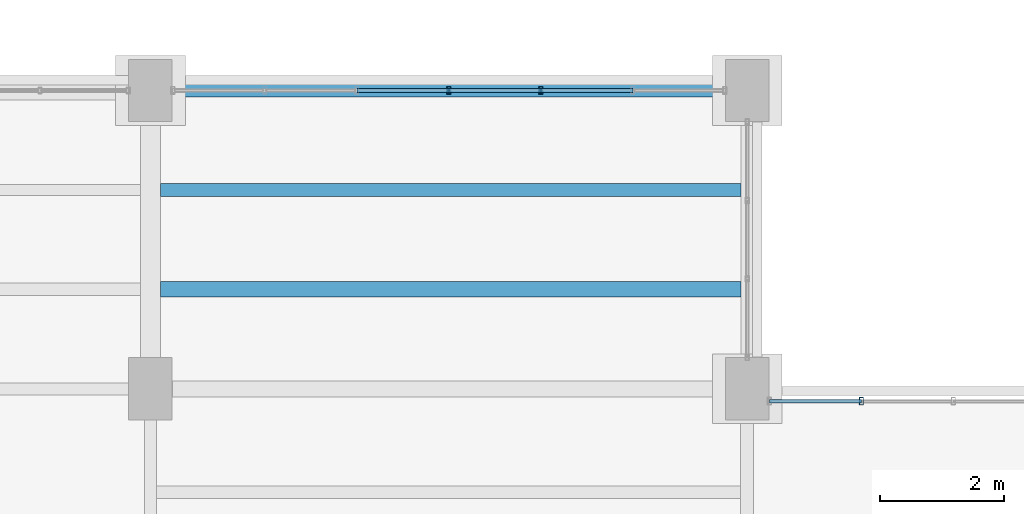
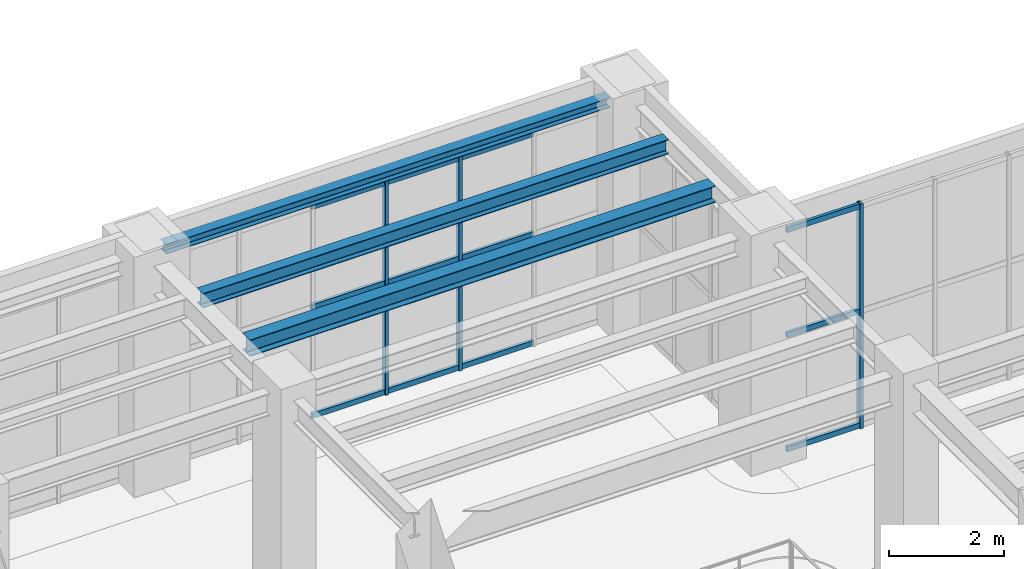
# One storey, part 92 of 174: 15 members, 3 beams, 2 elements without a shape of their own.
"""IFC4 building model written with IfcOpenShell, lengths in metres."""

import ifcopenshell
import ifcopenshell.guid

model = None  # the IFC model being written
_history = None  # IfcOwnerHistory: only IFC2X3 demands one
_inside = {}  # id of a spatial element -> (the spatial element, [elements in it])
_under = {}  # id of a project, library or spatial element -> (it, [spatial elements below it])
_declared = {}  # id of a project -> (the project, [libraries it declares])
_typed = {}  # id of a type object -> (the type object, [elements of that type])
_made_of = {}  # id of a material, layer set ... -> (it, [elements and type objects made of it])


def new_model(schema):
    """Start an empty IFC model of exactly this schema.

    Asked for "IFC4X3", IfcOpenShell would pick the latest addendum, in which some entities
    have other attributes; the version numbers below select the first issue.
    IFC2X3 requires an IfcOwnerHistory on every rooted entity: one is made here for all.
    """
    global model, _history
    if schema == "IFC4X3":
        model = ifcopenshell.file(schema_version=(4, 3, 0, 0))
    else:
        model = ifcopenshell.file(schema=schema)
    _inside.clear()
    _under.clear()
    _declared.clear()
    _typed.clear()
    _made_of.clear()
    _history = None
    if model.schema == "IFC2X3":
        org = make("IfcOrganization", Name="unknown")
        user = make(
            "IfcPersonAndOrganization",
            ThePerson=make("IfcPerson", FamilyName="unknown"),
            TheOrganization=org,
        )
        app = make(
            "IfcApplication",
            ApplicationDeveloper=org,
            Version="unknown",
            ApplicationFullName="unknown",
            ApplicationIdentifier="unknown",
        )
        _history = make(
            "IfcOwnerHistory",
            OwningUser=user,
            OwningApplication=app,
            ChangeAction="ADDED",
            CreationDate=0,
        )
    return model


def make(cls, **values):
    """One entity of the class cls with the attributes given. An attribute that is None is left unset."""
    return model.create_entity(
        cls, **{name: value for name, value in values.items() if value is not None}
    )


def rooted(cls, **values):
    """An entity with a GlobalId (a new one), such as an element, a storey or a relation."""
    return make(cls, GlobalId=ifcopenshell.guid.new(), OwnerHistory=_history, **values)


def si_unit(unit_type, name, prefix=None):
    """IfcSIUnit, for example si_unit("LENGTHUNIT", "METRE", prefix="MILLI")."""
    return make("IfcSIUnit", UnitType=unit_type, Prefix=prefix, Name=name)


def assignment(units):
    """IfcUnitAssignment: the units of a project."""
    return None if units is None else make("IfcUnitAssignment", Units=units)


def point(xyz):
    """IfcCartesianPoint."""
    return None if xyz is None else make("IfcCartesianPoint", Coordinates=xyz)


def direction(xyz):
    """IfcDirection."""
    return None if xyz is None else make("IfcDirection", DirectionRatios=xyz)


def frame(location, z_axis=None, x_axis=None):
    """IfcAxis2Placement3D, a coordinate frame: its origin and axes. An axis left out is left unset."""
    return make(
        "IfcAxis2Placement3D",
        Location=point(location),
        Axis=direction(z_axis),
        RefDirection=direction(x_axis),
    )


def frame_2d(location, x_axis=None):
    """IfcAxis2Placement2D, a coordinate frame in the plane: its origin and x axis."""
    return make(
        "IfcAxis2Placement2D", Location=point(location), RefDirection=direction(x_axis)
    )


def origin():
    """The frame at (0, 0, 0) with its axes left unset."""
    return frame((0.0, 0.0, 0.0))


def origin_2d():
    """The frame at (0, 0) in the plane with its x axis left unset."""
    return frame_2d((0.0, 0.0))


def place(relative_to, where):
    """IfcLocalPlacement: puts the frame where relative to a parent placement (None: the world)."""
    return make(
        "IfcLocalPlacement", PlacementRelTo=relative_to, RelativePlacement=where
    )


def context(
    kind, dimensions, precision=None, world=None, true_north=None, identifier=None
):
    """IfcGeometricRepresentationContext, for example the 3D "Model" context."""
    return make(
        "IfcGeometricRepresentationContext",
        ContextIdentifier=identifier,
        ContextType=kind,
        CoordinateSpaceDimension=dimensions,
        Precision=precision,
        WorldCoordinateSystem=world,
        TrueNorth=true_north,
    )


def subcontext(parent, identifier, kind, view, scale=None):
    """IfcGeometricRepresentationSubContext, for example "Body" below "Model"."""
    return make(
        "IfcGeometricRepresentationSubContext",
        ContextIdentifier=identifier,
        ContextType=kind,
        ParentContext=parent,
        TargetScale=scale,
        TargetView=view,
    )


def project(units=None, contexts=None):
    """IfcProject with its units and contexts."""
    return rooted(
        "IfcProject",
        Name="project",
        RepresentationContexts=contexts,
        UnitsInContext=assignment(units),
    )


def spatial(cls, under=None, at=None, **own):
    """A site, building, storey or space (cls), placed at a placement, below another one or the project."""
    s = rooted(cls, ObjectPlacement=at, **own)
    if under is not None:
        _under.setdefault(under.id(), (under, []))[1].append(s)
    return s


def profile(cls, at=None, kind="AREA", **sizes):
    """A parametric profile (cls). Its sizes go by their IFC names, for example OverallWidth=200.0."""
    return make(cls, ProfileType=kind, Position=at, **sizes)


def hollow_rectangle(**sizes):
    """IfcRectangleHollowProfileDef."""
    return profile("IfcRectangleHollowProfileDef", **sizes)


def i_section(**sizes):
    """IfcIShapeProfileDef."""
    return profile("IfcIShapeProfileDef", **sizes)


def extrude(swept, where, along, depth):
    """IfcExtrudedAreaSolid: the profile swept, set in the frame where, extruded along a direction by depth."""
    return make(
        "IfcExtrudedAreaSolid",
        SweptArea=swept,
        Position=where,
        ExtrudedDirection=direction(along),
        Depth=depth,
    )


def shape(context_of_items, identifier, shape_type, items):
    """IfcShapeRepresentation: the items that make up one representation, for example the "Body"."""
    return make(
        "IfcShapeRepresentation",
        ContextOfItems=context_of_items,
        RepresentationIdentifier=identifier,
        RepresentationType=shape_type,
        Items=items,
    )


def material(Name=None, Category=None):
    """IfcMaterial."""
    return make("IfcMaterial", Name=Name, Category=Category)


def material_profile(
    of_material, cross_section, Name=None, Category=None, Priority=None
):
    """IfcMaterialProfile: a cross section and its material."""
    return make(
        "IfcMaterialProfile",
        Name=Name,
        Material=of_material,
        Profile=cross_section,
        Priority=Priority,
        Category=Category,
    )


def profile_set(profiles, Name=None, composite=None):
    """IfcMaterialProfileSet."""
    return make(
        "IfcMaterialProfileSet",
        Name=Name,
        MaterialProfiles=profiles,
        CompositeProfile=composite,
    )


def made_of(thing, what):
    """Note that an element or type object is made of a material, layer set ...; save() writes the relation."""
    if what is not None:
        _made_of.setdefault(what.id(), (what, []))[1].append(thing)
    return thing


def type_object(cls, material=None, **own):
    """A type object (cls), such as IfcWallType, which elements share."""
    return made_of(rooted(cls, **own), material)


def element(
    cls,
    number,
    at=None,
    inside=None,
    cuts=None,
    type_object=None,
    material=None,
    context=None,
    identifier="Body",
    shape_type=None,
    held_by="IfcProductDefinitionShape",
    body=None,
    shapes=None,
    **own,
):
    """One element of the class cls, such as IfcWall. Its Tag is "e" and its number.

    at: its placement. inside: the storey or other place that contains it. cuts: it is an
    opening in that element (IfcRelVoidsElement). A single representation is given by context,
    identifier, shape_type and body (its items); several are given by shapes. held_by: the class
    of the entity that holds the representations. save() writes the other relations.
    """
    e = rooted(cls, Tag="e%d" % number, ObjectPlacement=at, **own)
    if body is not None:
        shapes = [shape(context, identifier, shape_type, body)]
    if shapes is not None:
        e.Representation = make(held_by, Representations=shapes)
    if inside is not None:
        _inside.setdefault(inside.id(), (inside, []))[1].append(e)
    if cuts is not None:
        rooted(
            "IfcRelVoidsElement", RelatingBuildingElement=cuts, RelatedOpeningElement=e
        )
    if type_object is not None:
        _typed.setdefault(type_object.id(), (type_object, []))[1].append(e)
    return made_of(e, material)


def aggregate(whole, parts):
    """IfcRelAggregates: a whole, such as a stair, and the parts it consists of."""
    return rooted("IfcRelAggregates", RelatingObject=whole, RelatedObjects=parts)


def save(model, path):
    """Write the relations noted so far, then the file.

    IfcRelAggregates (storeys below a building ...), IfcRelContainedInSpatialStructure (elements
    in a storey), IfcRelDefinesByType, IfcRelAssociatesMaterial and IfcRelDeclares: one each for
    every whole, place, type object, material and project.
    """
    for whole, parts in _under.values():
        aggregate(whole, parts)
    for where, things in _inside.values():
        rooted(
            "IfcRelContainedInSpatialStructure",
            RelatedElements=things,
            RelatingStructure=where,
        )
    for kind, things in _typed.values():
        rooted("IfcRelDefinesByType", RelatedObjects=things, RelatingType=kind)
    for what, things in _made_of.values():
        rooted("IfcRelAssociatesMaterial", RelatedObjects=things, RelatingMaterial=what)
    for by, libraries in _declared.values():
        rooted("IfcRelDeclares", RelatingContext=by, RelatedDefinitions=libraries)
    model.write(path)


model = new_model("IFC4")

# Units and contexts
model_context = context("Model", 3, precision=1e-05, world=origin(), true_north=direction((0.0, 1.0)))
body_context = subcontext(model_context, "Body", "Model", "MODEL_VIEW")
ifc_project = project(units=[si_unit("LENGTHUNIT", "METRE"), si_unit("AREAUNIT", "SQUARE_METRE"), si_unit("VOLUMEUNIT", "CUBIC_METRE"), si_unit("PLANEANGLEUNIT", "RADIAN"), si_unit("MASSUNIT", "GRAM", prefix="KILO")], contexts=[model_context])

# Site, building, storey
site_placement = place(None, origin())
site = spatial("IfcSite", under=ifc_project, at=site_placement, CompositionType="ELEMENT")
building_placement = place(site_placement, origin())
building = spatial("IfcBuilding", under=site, at=building_placement, Name="Mavantir Sound Aquarium", CompositionType="ELEMENT")
storey_placement = place(building_placement, frame((0.0, 0.0, 5.39990234375)))
storey = spatial("IfcBuildingStorey", under=building, at=storey_placement, Name="L01", CompositionType="ELEMENT", Elevation=5.39990234375)

# Beams
ifc_material_1 = material(Name="Structural Steel ASTM A992 Gr50", Category="steel")
ifc_material_profile_1 = material_profile(ifc_material_1, i_section(OverallWidth=0.202880859375, OverallDepth=0.202880859375, WebThickness=0.007080078125, FlangeThickness=0.010986328125, FilletRadius=0.010009765625, at=origin_2d()), Name="W200X46")
ifc_profile_set_1 = profile_set([ifc_material_profile_1], Name="Structural Steel ASTM A992 Gr50")
beam_type_1 = type_object("IfcBeamType", Name="BM-W200X46-E", PredefinedType="LINTEL", material=ifc_profile_set_1)
beam_1_placement = place(storey_placement, frame((108.35009765625, 95.60009765625, 4.674560546875), z_axis=(1.0, 0.0, 0.0), x_axis=(0.0, 1.0, 0.0)))
element("IfcBeam", 1, at=beam_1_placement, inside=storey, type_object=beam_type_1, Name="L01 primary beam SL-20 1282", PredefinedType="LINTEL", context=body_context, shape_type="SweptSolid", body=[
    extrude(i_section(OverallWidth=0.202880859375, OverallDepth=0.202880859375, WebThickness=0.007080078125, FlangeThickness=0.010986328125, FilletRadius=0.010009765625, at=origin_2d()), origin(), (0.0, 0.0, 1.0), 8.89990234375),
])
ifc_material_profile_2 = material_profile(ifc_material_1, i_section(OverallWidth=0.205078125, OverallDepth=0.31005859375, WebThickness=0.009521484375, FlangeThickness=0.016357421875, FilletRadius=0.012939453125, at=origin_2d()), Name="W310X74")
ifc_profile_set_2 = profile_set([ifc_material_profile_2], Name="Structural Steel ASTM A992 Gr50")
beam_type_2 = type_object("IfcBeamType", Name="BM-W310X74-I", PredefinedType="JOIST", material=ifc_profile_set_2)
beam_2_placement = place(storey_placement, frame((108.162109375, 94.0, 4.62109375), z_axis=(1.0, 0.0, 0.0), x_axis=(0.0, 1.0, 0.0)))
element("IfcBeam", 2, at=beam_2_placement, inside=storey, type_object=beam_type_2, Name="L01 secondary floor joist SJ-31 795", PredefinedType="JOIST", context=body_context, shape_type="SweptSolid", body=[
    extrude(i_section(OverallWidth=0.205078125, OverallDepth=0.31005859375, WebThickness=0.009521484375, FlangeThickness=0.016357421875, FilletRadius=0.012939453125, at=origin_2d()), origin(), (0.0, 0.0, 1.0), 9.3408203125),
])
ifc_material_profile_3 = material_profile(ifc_material_1, i_section(OverallWidth=0.25390625, OverallDepth=0.35302734375, WebThickness=0.009521484375, FlangeThickness=0.016357421875, FilletRadius=0.014892578125, at=origin_2d()), Name="W360X91")
ifc_profile_set_3 = profile_set([ifc_material_profile_3], Name="Structural Steel ASTM A992 Gr50")
beam_type_3 = type_object("IfcBeamType", Name="BM-W360X91-I", PredefinedType="JOIST", material=ifc_profile_set_3)
beam_3_placement = place(storey_placement, frame((108.162109375, 92.39990234375, 4.599609375), z_axis=(1.0, 0.0, 0.0), x_axis=(0.0, 1.0, 0.0)))
element("IfcBeam", 3, at=beam_3_placement, inside=storey, type_object=beam_type_3, Name="L01 secondary floor joist SJ-36 794", PredefinedType="JOIST", context=body_context, shape_type="SweptSolid", body=[
    extrude(i_section(OverallWidth=0.25390625, OverallDepth=0.35302734375, WebThickness=0.009521484375, FlangeThickness=0.016357421875, FilletRadius=0.014892578125, at=origin_2d()), origin(), (0.0, 0.0, 1.0), 9.3408203125),
])

# Curtain wall, member
ifc_material_2 = material(Name="Anodised Marine Aluminium and Low-E Glass", Category="aluminium")
curtain_wall_type_1 = type_object("IfcCurtainWallType", Name="CW-T14", PredefinedType="USERDEFINED", material=ifc_material_2)
curtain_wall_1_placement = place(storey_placement, origin())
curtain_wall_1 = element("IfcCurtainWall", 4, at=curtain_wall_1_placement, inside=storey, type_object=curtain_wall_type_1, Name="L01 unitised curtain wall CW-14 86", ObjectType="UNITISED GLAZING", PredefinedType="USERDEFINED")
ifc_material_3 = material(Name="Anodised Marine Aluminium 6063-T6", Category="aluminium")
ifc_material_profile_4 = material_profile(ifc_material_3, hollow_rectangle(XDim=0.06494140625, YDim=0.1201171875, WallThickness=0.00390625, at=origin_2d()), Name="ALU-MULLION-120X65")
ifc_profile_set_4 = profile_set([ifc_material_profile_4], Name="Anodised Marine Aluminium 6063-T6")
member_type_1 = type_object("IfcMemberType", Name="CW-MUL-120", PredefinedType="MULLION", material=ifc_profile_set_4)
member_1_placement = place(storey_placement, frame((119.438720703125, 90.60009765625, 0.0), z_axis=(0.0, 0.0, 1.0), x_axis=(1.0, 0.0, 0.0)))
member_1 = element("IfcMember", 5, at=member_1_placement, type_object=member_type_1, Name="CW-L01-086 vertical mullion 6", PredefinedType="MULLION", context=body_context, shape_type="SweptSolid", body=[
    extrude(hollow_rectangle(XDim=0.06494140625, YDim=0.1201171875, WallThickness=0.00390625, at=origin_2d()), origin(), (0.0, 0.0, 1.0), 4.760009765625),
])

# Curtain wall, members
curtain_wall_type_2 = type_object("IfcCurtainWallType", Name="CW-T16", PredefinedType="USERDEFINED", material=ifc_material_2)
curtain_wall_2_placement = place(storey_placement, origin())
curtain_wall_2 = element("IfcCurtainWall", 6, at=curtain_wall_2_placement, inside=storey, type_object=curtain_wall_type_2, Name="L01 unitised curtain wall CW-16 88", ObjectType="UNITISED GLAZING", PredefinedType="USERDEFINED")
member_2_placement = place(storey_placement, frame((114.28076171875, 95.60009765625, 0.0), z_axis=(0.0, 0.0, 1.0), x_axis=(1.0, 0.0, 0.0)))
member_2 = element("IfcMember", 7, at=member_2_placement, type_object=member_type_1, Name="CW-L01-088 vertical mullion 3", PredefinedType="MULLION", context=body_context, shape_type="SweptSolid", body=[
    extrude(hollow_rectangle(XDim=0.06494140625, YDim=0.1201171875, WallThickness=0.00390625, at=origin_2d()), origin(), (0.0, 0.0, 1.0), 4.543212890625),
])
member_3_placement = place(storey_placement, frame((112.800048828125, 95.60009765625, 0.0), z_axis=(0.0, 0.0, 1.0), x_axis=(1.0, 0.0, 0.0)))
member_3 = element("IfcMember", 8, at=member_3_placement, type_object=member_type_1, Name="CW-L01-088 vertical mullion 4", PredefinedType="MULLION", context=body_context, shape_type="SweptSolid", body=[
    extrude(hollow_rectangle(XDim=0.06494140625, YDim=0.1201171875, WallThickness=0.00390625, at=origin_2d()), origin(), (0.0, 0.0, 1.0), 4.543212890625),
])

# Member
ifc_material_profile_5 = material_profile(ifc_material_3, hollow_rectangle(XDim=0.06005859375, YDim=0.110107421875, WallThickness=0.00390625, at=origin_2d()), Name="ALU-TRANSOM-110X60")
ifc_profile_set_5 = profile_set([ifc_material_profile_5], Name="Anodised Marine Aluminium 6063-T6")
member_type_2 = type_object("IfcMemberType", Name="CW-TRN-110", PredefinedType="USERDEFINED", material=ifc_profile_set_5)
member_4_placement = place(storey_placement, frame((119.438720703125, 90.60009765625, 0.05517578125), z_axis=(-1.0, 0.0, 0.0), x_axis=(0.0, -1.0, 0.0)))
member_4 = element("IfcMember", 9, at=member_4_placement, type_object=member_type_2, Name="CW-L01-086 transom 6.1", ObjectType="TRANSOM", PredefinedType="USERDEFINED", context=body_context, shape_type="SweptSolid", body=[
    extrude(hollow_rectangle(XDim=0.06005859375, YDim=0.110107421875, WallThickness=0.00390625, at=origin_2d()), origin(), (0.0, 0.0, 1.0), 1.480712890625),
])

member_5_placement = place(storey_placement, frame((119.438720703125, 90.60009765625, 2.475341796875), z_axis=(-1.0, 0.0, 0.0), x_axis=(0.0, -1.0, 0.0)))
member_5 = element("IfcMember", 10, at=member_5_placement, type_object=member_type_2, Name="CW-L01-086 transom 6.2", ObjectType="TRANSOM", PredefinedType="USERDEFINED", context=body_context, shape_type="SweptSolid", body=[
    extrude(hollow_rectangle(XDim=0.06005859375, YDim=0.110107421875, WallThickness=0.00390625, at=origin_2d()), origin(), (0.0, 0.0, 1.0), 1.480712890625),
])

member_6_placement = place(storey_placement, frame((119.438720703125, 90.60009765625, 4.705078125), z_axis=(-1.0, 0.0, 0.0), x_axis=(0.0, -1.0, 0.0)))
member_6 = element("IfcMember", 11, at=member_6_placement, type_object=member_type_2, Name="CW-L01-086 transom 6.3", ObjectType="TRANSOM", PredefinedType="USERDEFINED", context=body_context, shape_type="SweptSolid", body=[
    extrude(hollow_rectangle(XDim=0.06005859375, YDim=0.110107421875, WallThickness=0.00390625, at=origin_2d()), origin(), (0.0, 0.0, 1.0), 1.480712890625),
])

aggregate(curtain_wall_1, [member_1, member_4, member_5, member_6])

member_7_placement = place(storey_placement, frame((115.76123046875, 95.60009765625, 0.05517578125), z_axis=(-1.0, 0.0, 0.0), x_axis=(0.0, -1.0, 0.0)))
member_7 = element("IfcMember", 12, at=member_7_placement, type_object=member_type_2, Name="CW-L01-088 transom 2.1", ObjectType="TRANSOM", PredefinedType="USERDEFINED", context=body_context, shape_type="SweptSolid", body=[
    extrude(hollow_rectangle(XDim=0.06005859375, YDim=0.110107421875, WallThickness=0.00390625, at=origin_2d()), origin(), (0.0, 0.0, 1.0), 1.48046875),
])

member_8_placement = place(storey_placement, frame((115.76123046875, 95.60009765625, 2.362548828125), z_axis=(-1.0, 0.0, 0.0), x_axis=(0.0, -1.0, 0.0)))
member_8 = element("IfcMember", 13, at=member_8_placement, type_object=member_type_2, Name="CW-L01-088 transom 2.2", ObjectType="TRANSOM", PredefinedType="USERDEFINED", context=body_context, shape_type="SweptSolid", body=[
    extrude(hollow_rectangle(XDim=0.06005859375, YDim=0.110107421875, WallThickness=0.00390625, at=origin_2d()), origin(), (0.0, 0.0, 1.0), 1.48046875),
])

member_9_placement = place(storey_placement, frame((115.76123046875, 95.60009765625, 4.488037109375), z_axis=(-1.0, 0.0, 0.0), x_axis=(0.0, -1.0, 0.0)))
member_9 = element("IfcMember", 14, at=member_9_placement, type_object=member_type_2, Name="CW-L01-088 transom 2.3", ObjectType="TRANSOM", PredefinedType="USERDEFINED", context=body_context, shape_type="SweptSolid", body=[
    extrude(hollow_rectangle(XDim=0.06005859375, YDim=0.110107421875, WallThickness=0.00390625, at=origin_2d()), origin(), (0.0, 0.0, 1.0), 1.48046875),
])

member_10_placement = place(storey_placement, frame((114.28076171875, 95.60009765625, 0.05517578125), z_axis=(-1.0, 0.0, 0.0), x_axis=(0.0, -1.0, 0.0)))
member_10 = element("IfcMember", 15, at=member_10_placement, type_object=member_type_2, Name="CW-L01-088 transom 3.1", ObjectType="TRANSOM", PredefinedType="USERDEFINED", context=body_context, shape_type="SweptSolid", body=[
    extrude(hollow_rectangle(XDim=0.06005859375, YDim=0.110107421875, WallThickness=0.00390625, at=origin_2d()), origin(), (0.0, 0.0, 1.0), 1.480712890625),
])

member_11_placement = place(storey_placement, frame((114.28076171875, 95.60009765625, 2.362548828125), z_axis=(-1.0, 0.0, 0.0), x_axis=(0.0, -1.0, 0.0)))
member_11 = element("IfcMember", 16, at=member_11_placement, type_object=member_type_2, Name="CW-L01-088 transom 3.2", ObjectType="TRANSOM", PredefinedType="USERDEFINED", context=body_context, shape_type="SweptSolid", body=[
    extrude(hollow_rectangle(XDim=0.06005859375, YDim=0.110107421875, WallThickness=0.00390625, at=origin_2d()), origin(), (0.0, 0.0, 1.0), 1.480712890625),
])

member_12_placement = place(storey_placement, frame((114.28076171875, 95.60009765625, 4.488037109375), z_axis=(-1.0, 0.0, 0.0), x_axis=(0.0, -1.0, 0.0)))
member_12 = element("IfcMember", 17, at=member_12_placement, type_object=member_type_2, Name="CW-L01-088 transom 3.3", ObjectType="TRANSOM", PredefinedType="USERDEFINED", context=body_context, shape_type="SweptSolid", body=[
    extrude(hollow_rectangle(XDim=0.06005859375, YDim=0.110107421875, WallThickness=0.00390625, at=origin_2d()), origin(), (0.0, 0.0, 1.0), 1.480712890625),
])

member_13_placement = place(storey_placement, frame((112.800048828125, 95.60009765625, 0.05517578125), z_axis=(-1.0, 0.0, 0.0), x_axis=(0.0, -1.0, 0.0)))
member_13 = element("IfcMember", 18, at=member_13_placement, type_object=member_type_2, Name="CW-L01-088 transom 4.1", ObjectType="TRANSOM", PredefinedType="USERDEFINED", context=body_context, shape_type="SweptSolid", body=[
    extrude(hollow_rectangle(XDim=0.06005859375, YDim=0.110107421875, WallThickness=0.00390625, at=origin_2d()), origin(), (0.0, 0.0, 1.0), 1.480712890625),
])

member_14_placement = place(storey_placement, frame((112.800048828125, 95.60009765625, 2.362548828125), z_axis=(-1.0, 0.0, 0.0), x_axis=(0.0, -1.0, 0.0)))
member_14 = element("IfcMember", 19, at=member_14_placement, type_object=member_type_2, Name="CW-L01-088 transom 4.2", ObjectType="TRANSOM", PredefinedType="USERDEFINED", context=body_context, shape_type="SweptSolid", body=[
    extrude(hollow_rectangle(XDim=0.06005859375, YDim=0.110107421875, WallThickness=0.00390625, at=origin_2d()), origin(), (0.0, 0.0, 1.0), 1.480712890625),
])

member_15_placement = place(storey_placement, frame((112.800048828125, 95.60009765625, 4.488037109375), z_axis=(-1.0, 0.0, 0.0), x_axis=(0.0, -1.0, 0.0)))
member_15 = element("IfcMember", 20, at=member_15_placement, type_object=member_type_2, Name="CW-L01-088 transom 4.3", ObjectType="TRANSOM", PredefinedType="USERDEFINED", context=body_context, shape_type="SweptSolid", body=[
    extrude(hollow_rectangle(XDim=0.06005859375, YDim=0.110107421875, WallThickness=0.00390625, at=origin_2d()), origin(), (0.0, 0.0, 1.0), 1.480712890625),
])

aggregate(curtain_wall_2, [member_2, member_3, member_7, member_8, member_9, member_10, member_11, member_12, member_13, member_14, member_15])

save(model, "model.ifc")
